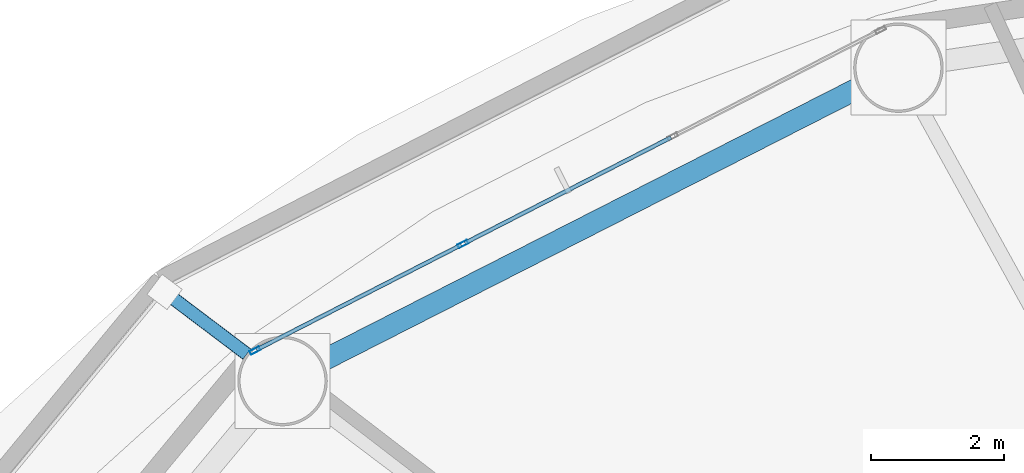
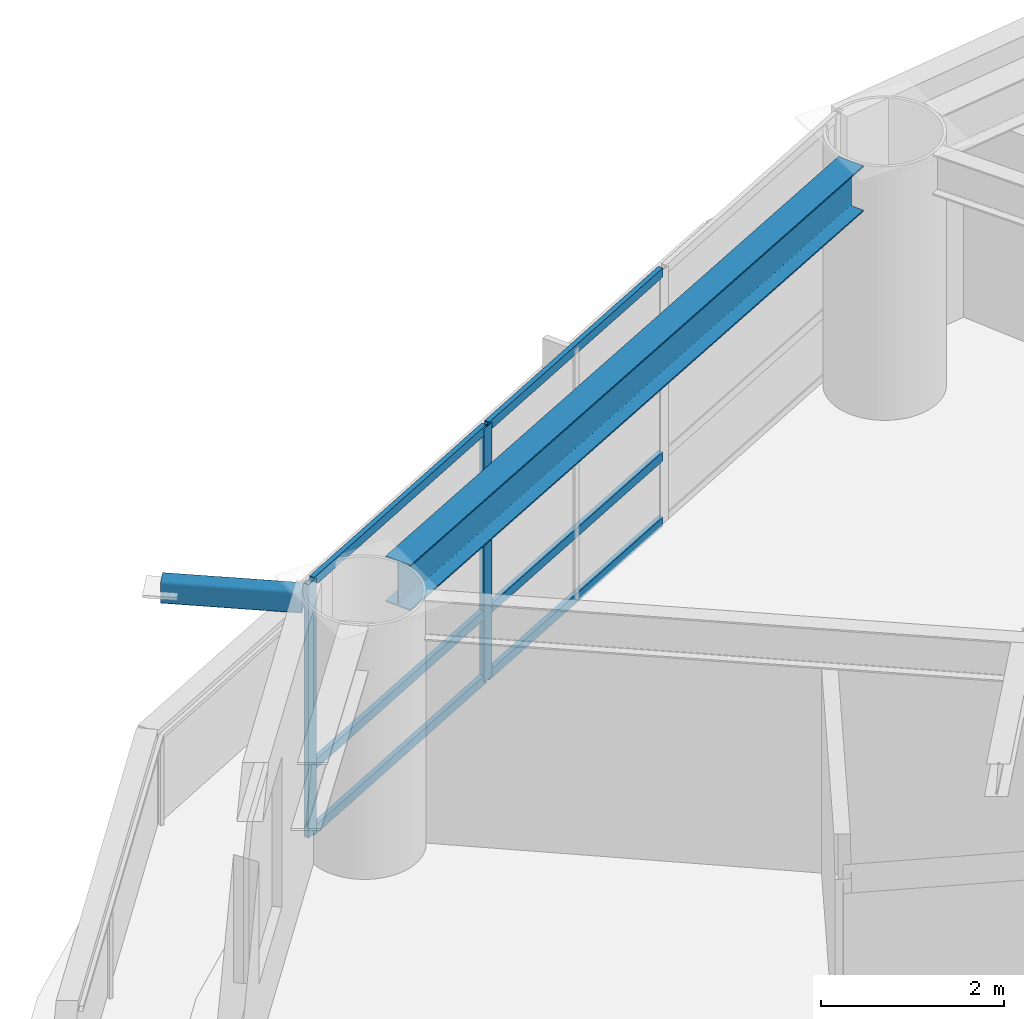
# One storey, part 8 of 25: 9 members, 1 beam, 1 element without a shape of its own.
"""IFC4 building model written with IfcOpenShell, lengths in metres."""

from ifc_helpers import new_model, si_unit, direction, frame, origin, origin_2d, place, context, subcontext, project, spatial, hollow_rectangle, i_section, extrude, material, layer, layer_set, material_profile, profile_set, type_object, element, aggregate, save


model = new_model("IFC4")

# Units and contexts
model_context = context("Model", 3, precision=1e-05, world=origin(), true_north=direction((0.0, 1.0)))
body_context = subcontext(model_context, "Body", "Model", "MODEL_VIEW")
ifc_project = project(units=[si_unit("LENGTHUNIT", "METRE"), si_unit("AREAUNIT", "SQUARE_METRE"), si_unit("VOLUMEUNIT", "CUBIC_METRE"), si_unit("PLANEANGLEUNIT", "RADIAN"), si_unit("MASSUNIT", "GRAM", prefix="KILO")], contexts=[model_context])

# Site, building, storey
site_placement = place(None, origin())
site = spatial("IfcSite", under=ifc_project, at=site_placement, CompositionType="ELEMENT")
building_placement = place(site_placement, origin())
building = spatial("IfcBuilding", under=site, at=building_placement, Name="Sarneth Arch Tower", CompositionType="ELEMENT")
storey_placement = place(building_placement, frame((0.0, 0.0, 84.0)))
storey = spatial("IfcBuildingStorey", under=building, at=storey_placement, Name="L20", CompositionType="ELEMENT", Elevation=84.0)

# Beam
ifc_material_1 = material(Name="Steel S355", Category="steel")
ifc_material_profile_1 = material_profile(ifc_material_1, i_section(OverallWidth=0.323974609375, OverallDepth=0.611083984375, WebThickness=0.0126953125, FlangeThickness=0.01904296875, FilletRadius=0.01904296875, at=origin_2d()), Name="W610x155")
ifc_profile_set_1 = profile_set([ifc_material_profile_1], Name="Steel S355")
beam_type = type_object("IfcBeamType", Name="BM-SPAN-610B", PredefinedType="SPANDREL", material=ifc_profile_set_1)
beam_placement = place(storey_placement, frame((36.2880859375, 61.83447265625, 3.074462890625), z_axis=(-0.891255891792, -0.453500755619, 0.0), x_axis=(0.453500755619, -0.891255891792, 0.0)))
element("IfcBeam", 1, at=beam_placement, inside=storey, type_object=beam_type, Name="L20 Perimeter spandrel beam 06", PredefinedType="SPANDREL", context=body_context, shape_type="SweptSolid", body=[
    extrude(i_section(OverallWidth=0.323974609375, OverallDepth=0.611083984375, WebThickness=0.0126953125, FlangeThickness=0.01904296875, FilletRadius=0.01904296875, at=origin_2d()), origin(), (0.0, 0.0, 1.0), 9.070556640625),
])

# Curtain wall, members
ifc_material_2 = material(Name="Anodised aluminium Type AA25 and solar-control low-e laminated IGU", Category="aluminium")
ifc_layer = layer(ifc_material_2, 0.159912109375)
ifc_layer_set = layer_set([ifc_layer], Name="Anodised aluminium Type AA25 and solar-control low-e laminated IGU")
curtain_wall_type = type_object("IfcCurtainWallType", Name="CW-HOTEL-MID", PredefinedType="NOTDEFINED", material=ifc_layer_set)
curtain_wall_placement = place(storey_placement, origin())
curtain_wall = element("IfcCurtainWall", 2, at=curtain_wall_placement, inside=storey, type_object=curtain_wall_type, Name="L20 Unitised curtain wall facet 06", PredefinedType="NOTDEFINED")
ifc_material_3 = material(Name="Anodised Aluminium 6063-T6", Category="aluminium")
ifc_material_profile_2 = material_profile(ifc_material_3, hollow_rectangle(XDim=0.06005859375, YDim=0.159912109375, WallThickness=0.00390625, at=origin_2d()), Name="AL-MULL-160x60x4")
ifc_profile_set_2 = profile_set([ifc_material_profile_2], Name="Anodised Aluminium 6063-T6")
member_type_1 = type_object("IfcMemberType", Name="CW-MULLION", PredefinedType="MULLION", material=ifc_profile_set_2)
member_1_placement = place(storey_placement, frame((30.322998046875, 59.481201171875, 0.0), z_axis=(0.0, 0.0, 1.0), x_axis=(0.456031365356, -0.889963703649, 0.0)))
member_1 = element("IfcMember", 3, at=member_1_placement, type_object=member_type_1, Name="CW-SYS-4 mullion 3", PredefinedType="MULLION", context=body_context, shape_type="SweptSolid", body=[
    extrude(hollow_rectangle(XDim=0.06005859375, YDim=0.159912109375, WallThickness=0.00390625, at=origin_2d()), origin(), (0.0, 0.0, 1.0), 3.3798828125),
])
member_2_placement = place(storey_placement, frame((27.186767578125, 57.8740234375, 0.0), z_axis=(0.0, 0.0, 1.0), x_axis=(0.456031365356, -0.889963703649, 0.0)))
member_2 = element("IfcMember", 4, at=member_2_placement, type_object=member_type_1, Name="CW-SYS-4 mullion 4", PredefinedType="MULLION", context=body_context, shape_type="SweptSolid", body=[
    extrude(hollow_rectangle(XDim=0.06005859375, YDim=0.159912109375, WallThickness=0.00390625, at=origin_2d()), origin(), (0.0, 0.0, 1.0), 3.3798828125),
])
ifc_material_4 = material(Name="Anodised Aluminium 6063-T6", Category="aluminium")
ifc_material_profile_3 = material_profile(ifc_material_4, hollow_rectangle(XDim=0.06005859375, YDim=0.1201171875, WallThickness=0.00390625, at=origin_2d()), Name="AL-TRAN-120x60x4")
ifc_profile_set_3 = profile_set([ifc_material_profile_3], Name="Anodised Aluminium 6063-T6")
member_type_2 = type_object("IfcMemberType", Name="CW-TRANSOM", PredefinedType="USERDEFINED", material=ifc_profile_set_3)
member_3_placement = place(storey_placement, frame((33.459228515625, 61.088134765625, 0.030029296875), z_axis=(-0.889981813856, -0.455996020823, 0.0), x_axis=(0.455996020823, -0.889981813856, 0.0)))
member_3 = element("IfcMember", 5, at=member_3_placement, type_object=member_type_2, Name="CW-SYS-4 transom 2.1", ObjectType="TRANSOM", PredefinedType="USERDEFINED", context=body_context, shape_type="SweptSolid", body=[
    extrude(hollow_rectangle(XDim=0.06005859375, YDim=0.1201171875, WallThickness=0.00390625, at=origin_2d()), origin(), (0.0, 0.0, 1.0), 3.494140625),
])
member_4_placement = place(storey_placement, frame((33.459228515625, 61.088134765625, 0.89990234375), z_axis=(-0.889981813856, -0.455996020823, 0.0), x_axis=(0.455996020823, -0.889981813856, 0.0)))
member_4 = element("IfcMember", 6, at=member_4_placement, type_object=member_type_2, Name="CW-SYS-4 transom 2.2", ObjectType="TRANSOM", PredefinedType="USERDEFINED", context=body_context, shape_type="SweptSolid", body=[
    extrude(hollow_rectangle(XDim=0.06005859375, YDim=0.1201171875, WallThickness=0.00390625, at=origin_2d()), origin(), (0.0, 0.0, 1.0), 3.494140625),
])
member_5_placement = place(storey_placement, frame((33.459228515625, 61.088134765625, 3.35009765625), z_axis=(-0.889981813856, -0.455996020823, 0.0), x_axis=(0.455996020823, -0.889981813856, 0.0)))
member_5 = element("IfcMember", 7, at=member_5_placement, type_object=member_type_2, Name="CW-SYS-4 transom 2.3", ObjectType="TRANSOM", PredefinedType="USERDEFINED", context=body_context, shape_type="SweptSolid", body=[
    extrude(hollow_rectangle(XDim=0.06005859375, YDim=0.1201171875, WallThickness=0.00390625, at=origin_2d()), origin(), (0.0, 0.0, 1.0), 3.494140625),
])
member_6_placement = place(storey_placement, frame((30.296142578125, 59.467529296875, 0.030029296875), z_axis=(-0.889942905184, -0.456071952122, 0.0), x_axis=(0.456071952122, -0.889942905184, 0.0)))
member_6 = element("IfcMember", 8, at=member_6_placement, type_object=member_type_2, Name="CW-SYS-4 transom 3.1", ObjectType="TRANSOM", PredefinedType="USERDEFINED", context=body_context, shape_type="SweptSolid", body=[
    extrude(hollow_rectangle(XDim=0.06005859375, YDim=0.1201171875, WallThickness=0.00390625, at=origin_2d()), origin(), (0.0, 0.0, 1.0), 3.464111328125),
])
member_7_placement = place(storey_placement, frame((30.296142578125, 59.467529296875, 0.89990234375), z_axis=(-0.889942905184, -0.456071952122, 0.0), x_axis=(0.456071952122, -0.889942905184, 0.0)))
member_7 = element("IfcMember", 9, at=member_7_placement, type_object=member_type_2, Name="CW-SYS-4 transom 3.2", ObjectType="TRANSOM", PredefinedType="USERDEFINED", context=body_context, shape_type="SweptSolid", body=[
    extrude(hollow_rectangle(XDim=0.06005859375, YDim=0.1201171875, WallThickness=0.00390625, at=origin_2d()), origin(), (0.0, 0.0, 1.0), 3.464111328125),
])
member_8_placement = place(storey_placement, frame((30.296142578125, 59.467529296875, 3.35009765625), z_axis=(-0.889942905184, -0.456071952122, 0.0), x_axis=(0.456071952122, -0.889942905184, 0.0)))
member_8 = element("IfcMember", 10, at=member_8_placement, type_object=member_type_2, Name="CW-SYS-4 transom 3.3", ObjectType="TRANSOM", PredefinedType="USERDEFINED", context=body_context, shape_type="SweptSolid", body=[
    extrude(hollow_rectangle(XDim=0.06005859375, YDim=0.1201171875, WallThickness=0.00390625, at=origin_2d()), origin(), (0.0, 0.0, 1.0), 3.464111328125),
])
aggregate(curtain_wall, [member_1, member_2, member_3, member_4, member_5, member_6, member_7, member_8])

# Member
ifc_material_5 = material(Name="Steel S355", Category="steel")
ifc_material_profile_4 = material_profile(ifc_material_5, hollow_rectangle(XDim=0.199951171875, YDim=0.300048828125, WallThickness=0.012451171875, InnerFilletRadius=0.018798828125, OuterFilletRadius=0.03125, at=origin_2d()), Name="RHS300x200x12.5")
ifc_profile_set_4 = profile_set([ifc_material_profile_4], Name="Steel S355")
member_type_3 = type_object("IfcMemberType", Name="MEM-CANT-STRUT", PredefinedType="STRUT", material=ifc_profile_set_4)
member_9_placement = place(storey_placement, frame((27.063720703125, 57.822021484375, 3.219970703125), z_axis=(-0.797827026596, 0.602886420176, 0.0), x_axis=(-0.602886420176, -0.797827026596, 0.0)))
element("IfcMember", 11, at=member_9_placement, inside=storey, type_object=member_type_3, Name="L20 Balcony cantilever bracket 07", PredefinedType="STRUT", context=body_context, shape_type="SweptSolid", body=[
    extrude(hollow_rectangle(XDim=0.199951171875, YDim=0.300048828125, WallThickness=0.012451171875, InnerFilletRadius=0.018798828125, OuterFilletRadius=0.03125, at=origin_2d()), origin(), (0.0, 0.0, 1.0), 1.55419921875),
])

save(model, "model.ifc")
